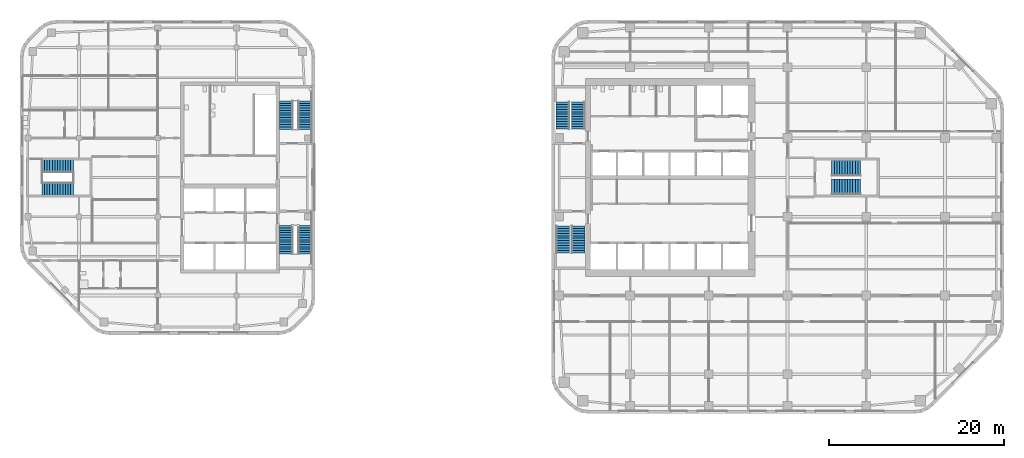
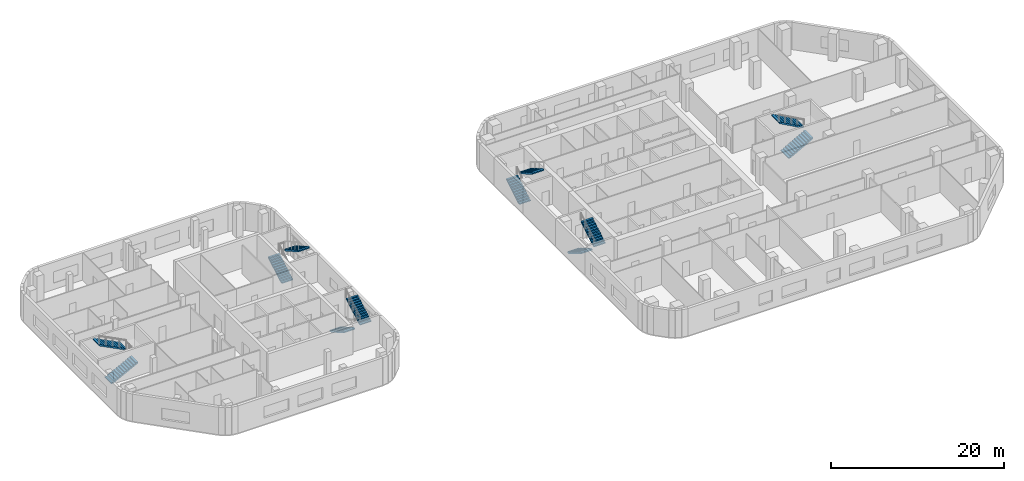
# One storey, part 12 of 15: 12 stair flights, 6 elements without a shape of their own.
"""IFC4 building model written with IfcOpenShell, lengths in metres."""

from ifc_helpers import new_model, si_unit, direction, frame, origin, place, context, subcontext, project, spatial, polyline, outline, extrude, material, type_object, element, aggregate, save


model = new_model("IFC4")

# Units and contexts
model_context = context("Model", 3, precision=1e-05, world=origin(), true_north=direction((0.0, 1.0)))
body_context = subcontext(model_context, "Body", "Model", "MODEL_VIEW")
ifc_project = project(units=[si_unit("LENGTHUNIT", "METRE"), si_unit("AREAUNIT", "SQUARE_METRE"), si_unit("VOLUMEUNIT", "CUBIC_METRE"), si_unit("PLANEANGLEUNIT", "RADIAN"), si_unit("MASSUNIT", "GRAM", prefix="KILO")], contexts=[model_context])

# Site, building, storey
site_placement = place(None, origin())
site = spatial("IfcSite", under=ifc_project, at=site_placement, CompositionType="ELEMENT")
building_placement = place(site_placement, origin())
building = spatial("IfcBuilding", under=site, at=building_placement, Name="Cinnabar Reach Civic Tower", CompositionType="ELEMENT")
storey_placement = place(building_placement, frame((0.0, 0.0, 120.0)))
storey = spatial("IfcBuildingStorey", under=building, at=storey_placement, Name="L28", CompositionType="ELEMENT", Elevation=120.0)

# Stair, stair flights
ifc_material_1 = material(Name="Concrete C40/50", Category="concrete")
stair_type_1 = type_object("IfcStairType", Name="T1 Exit stair, half-turn", PredefinedType="HALF_TURN_STAIR", material=ifc_material_1)
stair_1_placement = place(storey_placement, origin())
stair_1 = element("IfcStair", 1, at=stair_1_placement, inside=storey, type_object=stair_type_1, Name="Stair T1-S1", PredefinedType="HALF_TURN_STAIR")
stair_flight_type_1 = type_object("IfcStairFlightType", Name="T1 Stair flight, concrete", PredefinedType="STRAIGHT", material=ifc_material_1)
stair_flight_1_placement = place(storey_placement, frame((1.3125, 25.95, 0.0), z_axis=(0.0, 0.0, 1.0), x_axis=(0.0, -1.0, 0.0)))
stair_flight_1 = element("IfcStairFlight", 2, at=stair_flight_1_placement, type_object=stair_flight_type_1, Name="T1-S1 flight 1", NumberOfRisers=12, NumberOfTreads=11, PredefinedType="STRAIGHT", RiserHeight=0.166666667, TreadLength=0.28, context=body_context, shape_type="SweptSolid", body=[
    extrude(outline(polyline([(0.0, 0.0), (0.0, 0.1667), (0.28, 0.1667), (0.28, 0.3333), (0.56, 0.3333), (0.56, 0.5), (0.84, 0.5), (0.84, 0.6667), (1.12, 0.6667), (1.12, 0.8333), (1.4, 0.8333), (1.4, 1.0), (1.68, 1.0), (1.68, 1.1667), (1.96, 1.1667), (1.96, 1.3333), (2.24, 1.3333), (2.24, 1.5), (2.52, 1.5), (2.52, 1.6667), (2.8, 1.6667), (2.8, 1.8333), (3.08, 1.8333), (3.08, 2.0), (3.08, 1.6588), (0.2933, 0.0), (0.0, 0.0)])), frame((0.0, 0.7625, 0.0), z_axis=(0.0, -1.0, 0.0), x_axis=(1.0, 0.0, 0.0)), (0.0, 0.0, 1.0), 1.525),
])
stair_flight_2_placement = place(storey_placement, frame((3.0875, 22.87, 2.0), z_axis=(0.0, 0.0, 1.0), x_axis=(0.0, 1.0, 0.0)))
stair_flight_2 = element("IfcStairFlight", 3, at=stair_flight_2_placement, type_object=stair_flight_type_1, Name="T1-S1 flight 2", NumberOfRisers=12, NumberOfTreads=11, PredefinedType="STRAIGHT", RiserHeight=0.166666667, TreadLength=0.28, context=body_context, shape_type="SweptSolid", body=[
    extrude(outline(polyline([(0.0, 0.0), (0.0, 0.1667), (0.28, 0.1667), (0.28, 0.3333), (0.56, 0.3333), (0.56, 0.5), (0.84, 0.5), (0.84, 0.6667), (1.12, 0.6667), (1.12, 0.8333), (1.4, 0.8333), (1.4, 1.0), (1.68, 1.0), (1.68, 1.1667), (1.96, 1.1667), (1.96, 1.3333), (2.24, 1.3333), (2.24, 1.5), (2.52, 1.5), (2.52, 1.6667), (2.8, 1.6667), (2.8, 1.8333), (3.08, 1.8333), (3.08, 2.0), (3.08, 1.6588), (0.2933, 0.0), (0.0, 0.0)])), frame((0.0, 0.7625, 0.0), z_axis=(0.0, -1.0, 0.0), x_axis=(1.0, 0.0, 0.0)), (0.0, 0.0, 1.0), 1.525),
])
aggregate(stair_1, [stair_flight_1, stair_flight_2])

stair_2_placement = place(storey_placement, origin())
stair_2 = element("IfcStair", 4, at=stair_2_placement, inside=storey, type_object=stair_type_1, Name="Stair T1-S2", PredefinedType="HALF_TURN_STAIR")
stair_flight_3_placement = place(storey_placement, frame((1.3125, 37.05, 0.0), z_axis=(0.0, 0.0, 1.0), x_axis=(0.0, 1.0, 0.0)))
stair_flight_3 = element("IfcStairFlight", 5, at=stair_flight_3_placement, type_object=stair_flight_type_1, Name="T1-S2 flight 1", NumberOfRisers=12, NumberOfTreads=11, PredefinedType="STRAIGHT", RiserHeight=0.166666667, TreadLength=0.28, context=body_context, shape_type="SweptSolid", body=[
    extrude(outline(polyline([(0.0, 0.0), (0.0, 0.1667), (0.28, 0.1667), (0.28, 0.3333), (0.56, 0.3333), (0.56, 0.5), (0.84, 0.5), (0.84, 0.6667), (1.12, 0.6667), (1.12, 0.8333), (1.4, 0.8333), (1.4, 1.0), (1.68, 1.0), (1.68, 1.1667), (1.96, 1.1667), (1.96, 1.3333), (2.24, 1.3333), (2.24, 1.5), (2.52, 1.5), (2.52, 1.6667), (2.8, 1.6667), (2.8, 1.8333), (3.08, 1.8333), (3.08, 2.0), (3.08, 1.6588), (0.2933, 0.0), (0.0, 0.0)])), frame((0.0, 0.7625, 0.0), z_axis=(0.0, -1.0, 0.0), x_axis=(1.0, 0.0, 0.0)), (0.0, 0.0, 1.0), 1.525),
])
stair_flight_4_placement = place(storey_placement, frame((3.0875, 40.13, 2.0), z_axis=(0.0, 0.0, 1.0), x_axis=(0.0, -1.0, 0.0)))
stair_flight_4 = element("IfcStairFlight", 6, at=stair_flight_4_placement, type_object=stair_flight_type_1, Name="T1-S2 flight 2", NumberOfRisers=12, NumberOfTreads=11, PredefinedType="STRAIGHT", RiserHeight=0.166666667, TreadLength=0.28, context=body_context, shape_type="SweptSolid", body=[
    extrude(outline(polyline([(0.0, 0.0), (0.0, 0.1667), (0.28, 0.1667), (0.28, 0.3333), (0.56, 0.3333), (0.56, 0.5), (0.84, 0.5), (0.84, 0.6667), (1.12, 0.6667), (1.12, 0.8333), (1.4, 0.8333), (1.4, 1.0), (1.68, 1.0), (1.68, 1.1667), (1.96, 1.1667), (1.96, 1.3333), (2.24, 1.3333), (2.24, 1.5), (2.52, 1.5), (2.52, 1.6667), (2.8, 1.6667), (2.8, 1.8333), (3.08, 1.8333), (3.08, 2.0), (3.08, 1.6588), (0.2933, 0.0), (0.0, 0.0)])), frame((0.0, 0.7625, 0.0), z_axis=(0.0, -1.0, 0.0), x_axis=(1.0, 0.0, 0.0)), (0.0, 0.0, 1.0), 1.525),
])
aggregate(stair_2, [stair_flight_3, stair_flight_4])

stair_3_placement = place(storey_placement, origin())
stair_3 = element("IfcStair", 7, at=stair_3_placement, inside=storey, type_object=stair_type_1, Name="Stair T1-S3", PredefinedType="HALF_TURN_STAIR")
stair_flight_5_placement = place(storey_placement, frame((32.05, 30.45, 0.0), z_axis=(0.0, 0.0, 1.0), x_axis=(1.0, 0.0, 0.0)))
stair_flight_5 = element("IfcStairFlight", 8, at=stair_flight_5_placement, type_object=stair_flight_type_1, Name="T1-S3 flight 1", NumberOfRisers=12, NumberOfTreads=11, PredefinedType="STRAIGHT", RiserHeight=0.166666667, TreadLength=0.3, context=body_context, shape_type="SweptSolid", body=[
    extrude(outline(polyline([(0.0, 0.0), (0.0, 0.1667), (0.3, 0.1667), (0.3, 0.3333), (0.6, 0.3333), (0.6, 0.5), (0.9, 0.5), (0.9, 0.6667), (1.2, 0.6667), (1.2, 0.8333), (1.5, 0.8333), (1.5, 1.0), (1.8, 1.0), (1.8, 1.1667), (2.1, 1.1667), (2.1, 1.3333), (2.4, 1.3333), (2.4, 1.5), (2.7, 1.5), (2.7, 1.6667), (3.0, 1.6667), (3.0, 1.8333), (3.3, 1.8333), (3.3, 2.0), (3.3, 1.6617), (0.3089, 0.0), (0.0, 0.0)])), frame((0.0, 0.9, 0.0), z_axis=(0.0, -1.0, 0.0), x_axis=(1.0, 0.0, 0.0)), (0.0, 0.0, 1.0), 1.8),
])
stair_flight_6_placement = place(storey_placement, frame((35.35, 32.55, 2.0), z_axis=(0.0, 0.0, 1.0), x_axis=(-1.0, 0.0, 0.0)))
stair_flight_6 = element("IfcStairFlight", 9, at=stair_flight_6_placement, type_object=stair_flight_type_1, Name="T1-S3 flight 2", NumberOfRisers=12, NumberOfTreads=11, PredefinedType="STRAIGHT", RiserHeight=0.166666667, TreadLength=0.3, context=body_context, shape_type="SweptSolid", body=[
    extrude(outline(polyline([(0.0, 0.0), (0.0, 0.1667), (0.3, 0.1667), (0.3, 0.3333), (0.6, 0.3333), (0.6, 0.5), (0.9, 0.5), (0.9, 0.6667), (1.2, 0.6667), (1.2, 0.8333), (1.5, 0.8333), (1.5, 1.0), (1.8, 1.0), (1.8, 1.1667), (2.1, 1.1667), (2.1, 1.3333), (2.4, 1.3333), (2.4, 1.5), (2.7, 1.5), (2.7, 1.6667), (3.0, 1.6667), (3.0, 1.8333), (3.3, 1.8333), (3.3, 2.0), (3.3, 1.6617), (0.3089, 0.0), (0.0, 0.0)])), frame((0.0, 0.9, 0.0), z_axis=(0.0, -1.0, 0.0), x_axis=(1.0, 0.0, 0.0)), (0.0, 0.0, 1.0), 1.8),
])
aggregate(stair_3, [stair_flight_5, stair_flight_6])

ifc_material_2 = material(Name="Concrete C40", Category="concrete")
stair_type_2 = type_object("IfcStairType", Name="T2 Exit stair 1500", PredefinedType="HALF_TURN_STAIR", material=ifc_material_2)
stair_4_placement = place(storey_placement, origin())
stair_4 = element("IfcStair", 10, at=stair_4_placement, inside=storey, type_object=stair_type_2, Name="Exit stair 1", PredefinedType="HALF_TURN_STAIR")
stair_flight_type_2 = type_object("IfcStairFlightType", Name="T2 Stair flight 1500", PredefinedType="STRAIGHT", material=ifc_material_2)
stair_flight_7_placement = place(storey_placement, frame((-30.35, 26.0, 0.0), z_axis=(0.0, 0.0, 1.0), x_axis=(0.0, -1.0, 0.0)))
stair_flight_7 = element("IfcStairFlight", 11, at=stair_flight_7_placement, type_object=stair_flight_type_2, Name="ST1 flight 1", NumberOfRisers=13, NumberOfTreads=12, PredefinedType="STRAIGHT", RiserHeight=0.153846154, TreadLength=0.270833333, context=body_context, shape_type="SweptSolid", body=[
    extrude(outline(polyline([(0.0, 0.0), (0.0, 0.1538), (0.2708, 0.1538), (0.2708, 0.3077), (0.5417, 0.3077), (0.5417, 0.4615), (0.8125, 0.4615), (0.8125, 0.6154), (1.0833, 0.6154), (1.0833, 0.7692), (1.3542, 0.7692), (1.3542, 0.9231), (1.625, 0.9231), (1.625, 1.0769), (1.8958, 1.0769), (1.8958, 1.2308), (2.1667, 1.2308), (2.1667, 1.3846), (2.4375, 1.3846), (2.4375, 1.5385), (2.7083, 1.5385), (2.7083, 1.6923), (2.9792, 1.6923), (2.9792, 1.8462), (3.25, 1.8462), (3.25, 2.0), (3.25, 1.6736), (0.3037, 0.0), (0.0, 0.0)])), frame((0.0, 0.75, 0.0), z_axis=(0.0, -1.0, 0.0), x_axis=(1.0, 0.0, 0.0)), (0.0, 0.0, 1.0), 1.5),
])
stair_flight_8_placement = place(storey_placement, frame((-28.15, 22.75, 2.0), z_axis=(0.0, 0.0, 1.0), x_axis=(0.0, 1.0, 0.0)))
stair_flight_8 = element("IfcStairFlight", 12, at=stair_flight_8_placement, type_object=stair_flight_type_2, Name="ST1 flight 2", NumberOfRisers=13, NumberOfTreads=12, PredefinedType="STRAIGHT", RiserHeight=0.153846154, TreadLength=0.270833333, context=body_context, shape_type="SweptSolid", body=[
    extrude(outline(polyline([(0.0, 0.0), (0.0, 0.1538), (0.2708, 0.1538), (0.2708, 0.3077), (0.5417, 0.3077), (0.5417, 0.4615), (0.8125, 0.4615), (0.8125, 0.6154), (1.0833, 0.6154), (1.0833, 0.7692), (1.3542, 0.7692), (1.3542, 0.9231), (1.625, 0.9231), (1.625, 1.0769), (1.8958, 1.0769), (1.8958, 1.2308), (2.1667, 1.2308), (2.1667, 1.3846), (2.4375, 1.3846), (2.4375, 1.5385), (2.7083, 1.5385), (2.7083, 1.6923), (2.9792, 1.6923), (2.9792, 1.8462), (3.25, 1.8462), (3.25, 2.0), (3.25, 1.6736), (0.3037, 0.0), (0.0, 0.0)])), frame((0.0, 0.75, 0.0), z_axis=(0.0, -1.0, 0.0), x_axis=(1.0, 0.0, 0.0)), (0.0, 0.0, 1.0), 1.5),
])
aggregate(stair_4, [stair_flight_7, stair_flight_8])

stair_5_placement = place(storey_placement, origin())
stair_5 = element("IfcStair", 13, at=stair_5_placement, inside=storey, type_object=stair_type_2, Name="Exit stair 2", PredefinedType="HALF_TURN_STAIR")
stair_flight_9_placement = place(storey_placement, frame((-30.35, 37.0, 0.0), z_axis=(0.0, 0.0, 1.0), x_axis=(0.0, 1.0, 0.0)))
stair_flight_9 = element("IfcStairFlight", 14, at=stair_flight_9_placement, type_object=stair_flight_type_2, Name="ST2 flight 1", NumberOfRisers=13, NumberOfTreads=12, PredefinedType="STRAIGHT", RiserHeight=0.153846154, TreadLength=0.270833333, context=body_context, shape_type="SweptSolid", body=[
    extrude(outline(polyline([(0.0, 0.0), (0.0, 0.1538), (0.2708, 0.1538), (0.2708, 0.3077), (0.5417, 0.3077), (0.5417, 0.4615), (0.8125, 0.4615), (0.8125, 0.6154), (1.0833, 0.6154), (1.0833, 0.7692), (1.3542, 0.7692), (1.3542, 0.9231), (1.625, 0.9231), (1.625, 1.0769), (1.8958, 1.0769), (1.8958, 1.2308), (2.1667, 1.2308), (2.1667, 1.3846), (2.4375, 1.3846), (2.4375, 1.5385), (2.7083, 1.5385), (2.7083, 1.6923), (2.9792, 1.6923), (2.9792, 1.8462), (3.25, 1.8462), (3.25, 2.0), (3.25, 1.6736), (0.3037, 0.0), (0.0, 0.0)])), frame((0.0, 0.75, 0.0), z_axis=(0.0, -1.0, 0.0), x_axis=(1.0, 0.0, 0.0)), (0.0, 0.0, 1.0), 1.5),
])
stair_flight_10_placement = place(storey_placement, frame((-28.15, 40.25, 2.0), z_axis=(0.0, 0.0, 1.0), x_axis=(0.0, -1.0, 0.0)))
stair_flight_10 = element("IfcStairFlight", 15, at=stair_flight_10_placement, type_object=stair_flight_type_2, Name="ST2 flight 2", NumberOfRisers=13, NumberOfTreads=12, PredefinedType="STRAIGHT", RiserHeight=0.153846154, TreadLength=0.270833333, context=body_context, shape_type="SweptSolid", body=[
    extrude(outline(polyline([(0.0, 0.0), (0.0, 0.1538), (0.2708, 0.1538), (0.2708, 0.3077), (0.5417, 0.3077), (0.5417, 0.4615), (0.8125, 0.4615), (0.8125, 0.6154), (1.0833, 0.6154), (1.0833, 0.7692), (1.3542, 0.7692), (1.3542, 0.9231), (1.625, 0.9231), (1.625, 1.0769), (1.8958, 1.0769), (1.8958, 1.2308), (2.1667, 1.2308), (2.1667, 1.3846), (2.4375, 1.3846), (2.4375, 1.5385), (2.7083, 1.5385), (2.7083, 1.6923), (2.9792, 1.6923), (2.9792, 1.8462), (3.25, 1.8462), (3.25, 2.0), (3.25, 1.6736), (0.3037, 0.0), (0.0, 0.0)])), frame((0.0, 0.75, 0.0), z_axis=(0.0, -1.0, 0.0), x_axis=(1.0, 0.0, 0.0)), (0.0, 0.0, 1.0), 1.5),
])
aggregate(stair_5, [stair_flight_9, stair_flight_10])

stair_6_placement = place(storey_placement, origin())
stair_6 = element("IfcStair", 16, at=stair_6_placement, inside=storey, type_object=stair_type_2, Name="Exit stair 3", PredefinedType="HALF_TURN_STAIR")
stair_flight_11_placement = place(storey_placement, frame((-58.25, 30.125, 0.0), z_axis=(0.0, 0.0, 1.0), x_axis=(1.0, 0.0, 0.0)))
stair_flight_11 = element("IfcStairFlight", 17, at=stair_flight_11_placement, type_object=stair_flight_type_2, Name="ST3 flight 1", NumberOfRisers=13, NumberOfTreads=12, PredefinedType="STRAIGHT", RiserHeight=0.153846154, TreadLength=0.3, context=body_context, shape_type="SweptSolid", body=[
    extrude(outline(polyline([(0.0, 0.0), (0.0, 0.1538), (0.3, 0.1538), (0.3, 0.3077), (0.6, 0.3077), (0.6, 0.4615), (0.9, 0.4615), (0.9, 0.6154), (1.2, 0.6154), (1.2, 0.7692), (1.5, 0.7692), (1.5, 0.9231), (1.8, 0.9231), (1.8, 1.0769), (2.1, 1.0769), (2.1, 1.2308), (2.4, 1.2308), (2.4, 1.3846), (2.7, 1.3846), (2.7, 1.5385), (3.0, 1.5385), (3.0, 1.6923), (3.3, 1.6923), (3.3, 1.8462), (3.6, 1.8462), (3.6, 2.0), (3.6, 1.6776), (0.3287, 0.0), (0.0, 0.0)])), frame((0.0, 0.75, 0.0), z_axis=(0.0, -1.0, 0.0), x_axis=(1.0, 0.0, 0.0)), (0.0, 0.0, 1.0), 1.5),
])
stair_flight_12_placement = place(storey_placement, frame((-54.65, 32.875, 2.0), z_axis=(0.0, 0.0, 1.0), x_axis=(-1.0, 0.0, 0.0)))
stair_flight_12 = element("IfcStairFlight", 18, at=stair_flight_12_placement, type_object=stair_flight_type_2, Name="ST3 flight 2", NumberOfRisers=13, NumberOfTreads=12, PredefinedType="STRAIGHT", RiserHeight=0.153846154, TreadLength=0.3, context=body_context, shape_type="SweptSolid", body=[
    extrude(outline(polyline([(0.0, 0.0), (0.0, 0.1538), (0.3, 0.1538), (0.3, 0.3077), (0.6, 0.3077), (0.6, 0.4615), (0.9, 0.4615), (0.9, 0.6154), (1.2, 0.6154), (1.2, 0.7692), (1.5, 0.7692), (1.5, 0.9231), (1.8, 0.9231), (1.8, 1.0769), (2.1, 1.0769), (2.1, 1.2308), (2.4, 1.2308), (2.4, 1.3846), (2.7, 1.3846), (2.7, 1.5385), (3.0, 1.5385), (3.0, 1.6923), (3.3, 1.6923), (3.3, 1.8462), (3.6, 1.8462), (3.6, 2.0), (3.6, 1.6776), (0.3287, 0.0), (0.0, 0.0)])), frame((0.0, 0.75, 0.0), z_axis=(0.0, -1.0, 0.0), x_axis=(1.0, 0.0, 0.0)), (0.0, 0.0, 1.0), 1.5),
])
aggregate(stair_6, [stair_flight_11, stair_flight_12])

save(model, "model.ifc")
